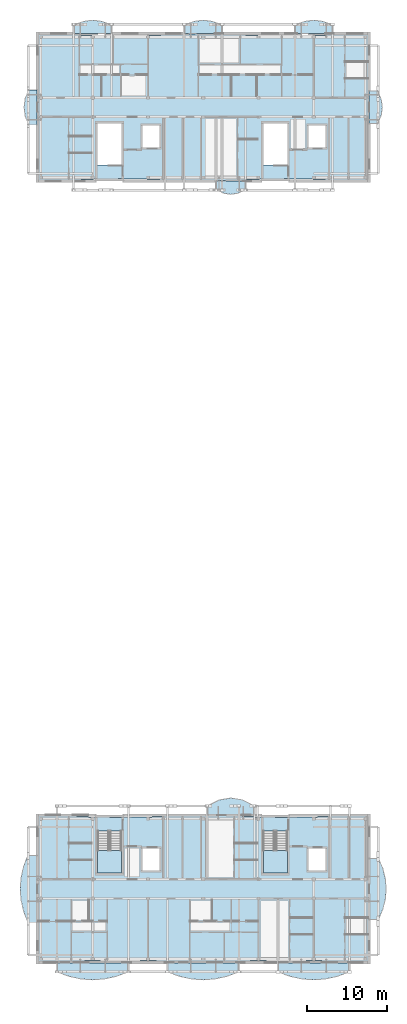
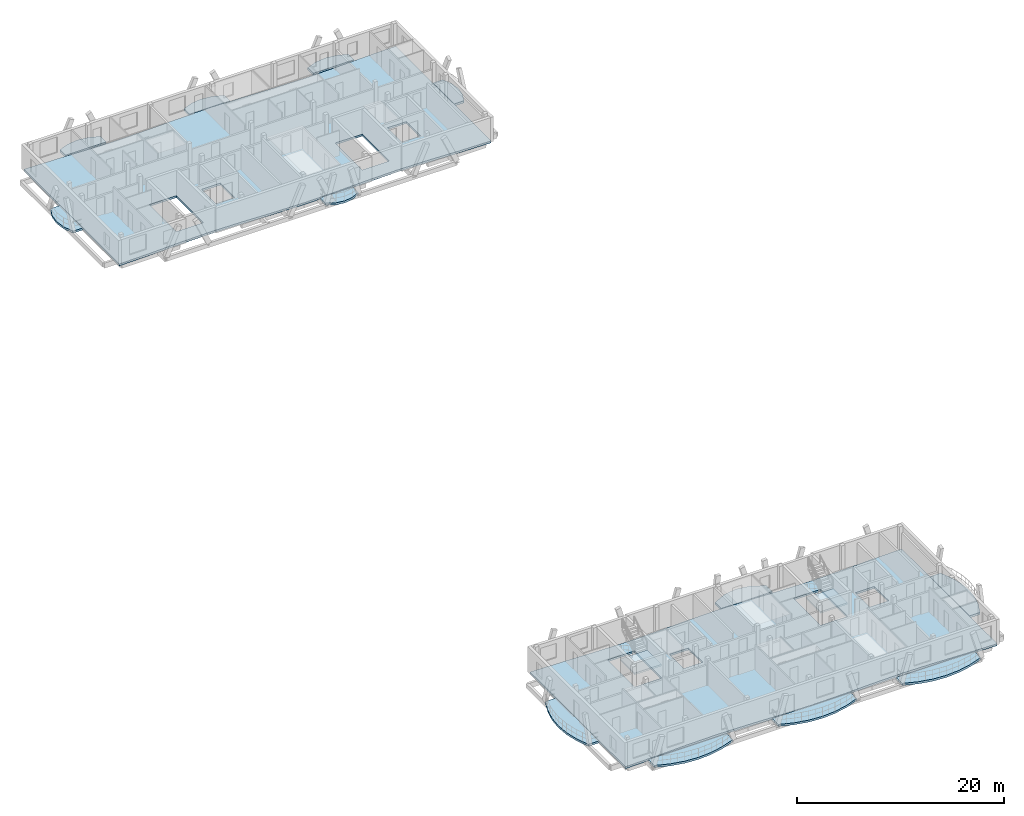
# One storey, part 3 of 18: 16 slabs, 2 elements without a shape of their own.
"""IFC4 building model written with IfcOpenShell, lengths in metres."""

from ifc_helpers import new_model, si_unit, direction, frame, origin, place, context, subcontext, project, spatial, polyline, outline, extrude, material, layer, layer_set, type_object, element, aggregate, save


model = new_model("IFC4")

# Units and contexts
model_context = context("Model", 3, precision=1e-05, world=origin(), true_north=direction((0.0, 1.0)))
body_context = subcontext(model_context, "Body", "Model", "MODEL_VIEW")
ifc_project = project(units=[si_unit("LENGTHUNIT", "METRE"), si_unit("AREAUNIT", "SQUARE_METRE"), si_unit("VOLUMEUNIT", "CUBIC_METRE"), si_unit("PLANEANGLEUNIT", "RADIAN"), si_unit("MASSUNIT", "GRAM", prefix="KILO")], contexts=[model_context])

# Site, building, storey
site_placement = place(None, origin())
site = spatial("IfcSite", under=ifc_project, at=site_placement, CompositionType="ELEMENT")
building_placement = place(site_placement, origin())
building = spatial("IfcBuilding", under=site, at=building_placement, Name="Zavelmont Quarter", CompositionType="ELEMENT")
storey_placement = place(building_placement, frame((0.0, 0.0, 40.0)))
storey = spatial("IfcBuildingStorey", under=building, at=storey_placement, Name="L12", CompositionType="ELEMENT", Elevation=40.0)

# Slabs
ifc_material_1 = material(Name="White architectural precast concrete C40/50", Category="concrete")
ifc_layer_1 = layer(ifc_material_1, 0.235107421875)
ifc_layer_set_1 = layer_set([ifc_layer_1], Name="White architectural precast concrete C40/50")
slab_type_1 = type_object("IfcSlabType", Name="SL-BL180", PredefinedType="FLOOR", material=ifc_layer_set_1)
slab_1_placement = place(storey_placement, frame((0.0, 0.0, -0.235107421875)))
element("IfcSlab", 1, at=slab_1_placement, inside=storey, type_object=slab_type_1, Name="L12 Block A street vase 2 balcony SL-BL180", PredefinedType="FLOOR", context=body_context, shape_type="SweptSolid", body=[
    extrude(outline(polyline([(16.3349609375, -0.02001953125), (16.3349609375, -1.2041015625), (17.7900390625, -1.7294921875), (19.2451171875, -2.044921875), (20.699951171875, -2.14990234375), (22.155029296875, -2.044921875), (23.610107421875, -1.7294921875), (25.06494140625, -1.2041015625), (25.06494140625, -0.02001953125), (16.3349609375, -0.02001953125)])), origin(), (0.0, 0.0, 1.0), 0.235107421875),
])
slab_2_placement = place(storey_placement, frame((0.0, 0.0, -0.235107421875)))
element("IfcSlab", 2, at=slab_2_placement, inside=storey, type_object=slab_type_1, Name="L12 Block A boulevard vase balcony SL-BL180", PredefinedType="FLOOR", context=body_context, shape_type="SweptSolid", body=[
    extrude(outline(polyline([(-0.02001953125, 13.3662109375), (-1.2041015625, 13.3662109375), (-1.7294921875, 11.9775390625), (-2.044921875, 10.588623046875), (-2.14990234375, 9.199951171875), (-2.044921875, 7.811279296875), (-1.7294921875, 6.422607421875), (-1.2041015625, 5.03369140625), (-0.02001953125, 5.03369140625), (-0.02001953125, 13.3662109375)])), origin(), (0.0, 0.0, 1.0), 0.235107421875),
])
slab_3_placement = place(storey_placement, frame((0.0, 0.0, -0.235107421875)))
element("IfcSlab", 3, at=slab_3_placement, inside=storey, type_object=slab_type_1, Name="L12 Block B street vase 2 balcony SL-BL180", PredefinedType="FLOOR", context=body_context, shape_type="SweptSolid", body=[
    extrude(outline(polyline([(22.96630859375, 116.02001953125), (22.96630859375, 117.10009765625), (21.833251953125, 117.52978515625), (20.699951171875, 117.673095703125), (19.56689453125, 117.52978515625), (18.43359375, 117.10009765625), (18.43359375, 116.02001953125), (22.96630859375, 116.02001953125)])), origin(), (0.0, 0.0, 1.0), 0.235107421875),
])
slab_4_placement = place(storey_placement, frame((0.0, 0.0, -0.235107421875)))
element("IfcSlab", 4, at=slab_4_placement, inside=storey, type_object=slab_type_1, Name="L12 Block B boulevard vase balcony SL-BL180", PredefinedType="FLOOR", context=body_context, shape_type="SweptSolid", body=[
    extrude(outline(polyline([(-0.02001953125, 108.98583984375), (-1.10009765625, 108.98583984375), (-1.52978515625, 107.892822265625), (-1.673095703125, 106.800048828125), (-1.52978515625, 105.70703125), (-1.10009765625, 104.6142578125), (-0.02001953125, 104.6142578125), (-0.02001953125, 108.98583984375)])), origin(), (0.0, 0.0, 1.0), 0.235107421875),
])
ifc_layer_2 = layer(ifc_material_1, 0.2451171875)
ifc_layer_set_2 = layer_set([ifc_layer_2], Name="White architectural precast concrete C40/50")
slab_type_2 = type_object("IfcSlabType", Name="SL-BL200", PredefinedType="FLOOR", material=ifc_layer_set_2)
slab_5_placement = place(storey_placement, frame((0.0, 0.0, -0.2451171875)))
element("IfcSlab", 5, at=slab_5_placement, inside=storey, type_object=slab_type_2, Name="L12 Block A street vase 1 balcony SL-BL200", PredefinedType="FLOOR", context=body_context, shape_type="SweptSolid", body=[
    extrude(outline(polyline([(2.534912109375, -0.02001953125), (2.534912109375, -1.2041015625), (3.989990234375, -1.7294921875), (5.445068359375, -2.044921875), (6.89990234375, -2.14990234375), (8.35498046875, -2.044921875), (9.81005859375, -1.7294921875), (11.264892578125, -1.2041015625), (11.264892578125, -0.02001953125), (2.534912109375, -0.02001953125)])), origin(), (0.0, 0.0, 1.0), 0.2451171875),
])
slab_6_placement = place(storey_placement, frame((0.0, 0.0, -0.2451171875)))
element("IfcSlab", 6, at=slab_6_placement, inside=storey, type_object=slab_type_2, Name="L12 Block A courtyard central vase balcony SL-BL200", PredefinedType="FLOOR", context=body_context, shape_type="SweptSolid", body=[
    extrude(outline(polyline([(27.0, 18.419921875), (27.0, 19.60400390625), (25.574951171875, 20.3134765625), (24.14990234375, 20.550048828125), (22.72509765625, 20.3134765625), (21.300048828125, 19.60400390625), (21.300048828125, 18.419921875), (27.0, 18.419921875)])), origin(), (0.0, 0.0, 1.0), 0.2451171875),
])
slab_7_placement = place(storey_placement, frame((0.0, 0.0, -0.2451171875)))
element("IfcSlab", 7, at=slab_7_placement, inside=storey, type_object=slab_type_2, Name="L12 Block B street vase 1 balcony SL-BL200", PredefinedType="FLOOR", context=body_context, shape_type="SweptSolid", body=[
    extrude(outline(polyline([(9.16650390625, 116.02001953125), (9.16650390625, 117.10009765625), (8.033203125, 117.52978515625), (6.89990234375, 117.673095703125), (5.766845703125, 117.52978515625), (4.633544921875, 117.10009765625), (4.633544921875, 116.02001953125), (9.16650390625, 116.02001953125)])), origin(), (0.0, 0.0, 1.0), 0.2451171875),
])
slab_8_placement = place(storey_placement, frame((0.0, 0.0, -0.2451171875)))
element("IfcSlab", 8, at=slab_8_placement, inside=storey, type_object=slab_type_2, Name="L12 Block B courtyard central vase balcony SL-BL200", PredefinedType="FLOOR", context=body_context, shape_type="SweptSolid", body=[
    extrude(outline(polyline([(22.328369140625, 97.580078125), (22.328369140625, 96.5), (23.2392578125, 96.0703125), (24.14990234375, 95.927001953125), (25.060791015625, 96.0703125), (25.9716796875, 96.5), (25.9716796875, 97.580078125), (22.328369140625, 97.580078125)])), origin(), (0.0, 0.0, 1.0), 0.2451171875),
])
ifc_layer_3 = layer(ifc_material_1, 0.2548828125)
ifc_layer_set_3 = layer_set([ifc_layer_3], Name="White architectural precast concrete C40/50")
slab_type_3 = type_object("IfcSlabType", Name="SL-BL220", PredefinedType="FLOOR", material=ifc_layer_set_3)
slab_9_placement = place(storey_placement, frame((0.0, 0.0, -0.2548828125)))
element("IfcSlab", 9, at=slab_9_placement, inside=storey, type_object=slab_type_3, Name="L12 Block A street vase 3 balcony SL-BL220", PredefinedType="FLOOR", context=body_context, shape_type="SweptSolid", body=[
    extrude(outline(polyline([(30.135009765625, -0.02001953125), (30.135009765625, -1.2041015625), (31.590087890625, -1.7294921875), (33.044921875, -2.044921875), (34.5, -2.14990234375), (35.955078125, -2.044921875), (37.409912109375, -1.7294921875), (38.864990234375, -1.2041015625), (38.864990234375, -0.02001953125), (30.135009765625, -0.02001953125)])), origin(), (0.0, 0.0, 1.0), 0.2548828125),
])
slab_10_placement = place(storey_placement, frame((0.0, 0.0, -0.2548828125)))
element("IfcSlab", 10, at=slab_10_placement, inside=storey, type_object=slab_type_3, Name="L12 Block A courtyard return vase balcony SL-BL220", PredefinedType="FLOOR", context=body_context, shape_type="SweptSolid", body=[
    extrude(outline(polyline([(41.419921875, 5.38330078125), (42.60400390625, 5.38330078125), (43.129638671875, 6.655517578125), (43.44482421875, 7.927734375), (43.550048828125, 9.199951171875), (43.44482421875, 10.47216796875), (43.129638671875, 11.744384765625), (42.60400390625, 13.0166015625), (41.419921875, 13.0166015625), (41.419921875, 5.38330078125)])), origin(), (0.0, 0.0, 1.0), 0.2548828125),
])
slab_11_placement = place(storey_placement, frame((0.0, 0.0, -0.2548828125)))
element("IfcSlab", 11, at=slab_11_placement, inside=storey, type_object=slab_type_3, Name="L12 Block B street vase 3 balcony SL-BL220", PredefinedType="FLOOR", context=body_context, shape_type="SweptSolid", body=[
    extrude(outline(polyline([(36.766357421875, 116.02001953125), (36.766357421875, 117.10009765625), (35.63330078125, 117.52978515625), (34.5, 117.673095703125), (33.36669921875, 117.52978515625), (32.233642578125, 117.10009765625), (32.233642578125, 116.02001953125), (36.766357421875, 116.02001953125)])), origin(), (0.0, 0.0, 1.0), 0.2548828125),
])
slab_12_placement = place(storey_placement, frame((0.0, 0.0, -0.2548828125)))
element("IfcSlab", 12, at=slab_12_placement, inside=storey, type_object=slab_type_3, Name="L12 Block B courtyard return vase balcony SL-BL220", PredefinedType="FLOOR", context=body_context, shape_type="SweptSolid", body=[
    extrude(outline(polyline([(41.419921875, 104.755126953125), (42.5, 104.755126953125), (42.9296875, 105.777587890625), (43.072998046875, 106.800048828125), (42.9296875, 107.822509765625), (42.5, 108.8447265625), (41.419921875, 108.8447265625), (41.419921875, 104.755126953125)])), origin(), (0.0, 0.0, 1.0), 0.2548828125),
])
ifc_material_2 = material(Name="Concrete C35/45", Category="concrete")
ifc_layer_4 = layer(ifc_material_2, 0.22998046875)
ifc_layer_set_4 = layer_set([ifc_layer_4], Name="Concrete C35/45")
slab_type_4 = type_object("IfcSlabType", Name="SL-FL230", PredefinedType="FLOOR", material=ifc_layer_set_4)
slab_13_placement = place(storey_placement, frame((0.0, 0.0, -0.22998046875)))
element("IfcSlab", 13, at=slab_13_placement, inside=storey, type_object=slab_type_4, Name="L12 Block A floor slab SL-FL230", PredefinedType="FLOOR", context=body_context, shape_type="SweptSolid", body=[
    extrude(outline(polyline([(0.0, 0.0), (3.449951171875, 0.070068359375), (6.89990234375, 0.2099609375), (10.35009765625, 0.280029296875), (13.800048828125, 0.2099609375), (17.25, 0.070068359375), (20.699951171875, 0.0), (24.14990234375, 0.070068359375), (27.60009765625, 0.2099609375), (31.050048828125, 0.280029296875), (34.5, 0.2099609375), (37.949951171875, 0.070068359375), (41.39990234375, 0.0), (41.39990234375, 3.679931640625), (41.39990234375, 7.360107421875), (41.39990234375, 11.0400390625), (41.39990234375, 14.719970703125), (41.39990234375, 18.39990234375), (37.949951171875, 18.330078125), (34.5, 18.18994140625), (31.050048828125, 18.1201171875), (27.60009765625, 18.18994140625), (24.14990234375, 18.330078125), (20.699951171875, 18.39990234375), (17.25, 18.330078125), (13.800048828125, 18.18994140625), (10.35009765625, 18.1201171875), (6.89990234375, 18.18994140625), (3.449951171875, 18.330078125), (0.0, 18.39990234375), (0.0, 14.719970703125), (0.0, 11.0400390625), (0.0, 7.360107421875), (0.0, 3.679931640625), (0.0, 0.0)]), holes=[polyline([(7.5, 16.425048828125), (7.5, 11.199951171875), (10.5, 11.199951171875), (10.5, 16.425048828125), (7.5, 16.425048828125)]), polyline([(13.14990234375, 11.5), (15.25, 11.5), (15.25, 14.25), (13.14990234375, 14.25), (13.14990234375, 11.5)]), polyline([(28.199951171875, 16.425048828125), (28.199951171875, 11.199951171875), (31.199951171875, 11.199951171875), (31.199951171875, 16.425048828125), (28.199951171875, 16.425048828125)]), polyline([(33.85009765625, 11.5), (35.949951171875, 11.5), (35.949951171875, 14.25), (33.85009765625, 14.25), (33.85009765625, 11.5)])]), origin(), (0.0, 0.0, 1.0), 0.22998046875),
])
slab_14_placement = place(storey_placement, frame((0.0, 0.0, -0.22998046875)))
element("IfcSlab", 14, at=slab_14_placement, inside=storey, type_object=slab_type_4, Name="L12 Block B floor slab SL-FL230", PredefinedType="FLOOR", context=body_context, shape_type="SweptSolid", body=[
    extrude(outline(polyline([(0.0, 97.60009765625), (3.449951171875, 97.669921875), (6.89990234375, 97.81005859375), (10.35009765625, 97.8798828125), (13.800048828125, 97.81005859375), (17.25, 97.669921875), (20.699951171875, 97.60009765625), (24.14990234375, 97.669921875), (27.60009765625, 97.81005859375), (31.050048828125, 97.8798828125), (34.5, 97.81005859375), (37.949951171875, 97.669921875), (41.39990234375, 97.60009765625), (41.39990234375, 101.280029296875), (41.39990234375, 104.9599609375), (41.39990234375, 108.639892578125), (41.39990234375, 112.320068359375), (41.39990234375, 116.0), (37.949951171875, 115.929931640625), (34.5, 115.7900390625), (31.050048828125, 115.719970703125), (27.60009765625, 115.7900390625), (24.14990234375, 115.929931640625), (20.699951171875, 116.0), (17.25, 115.929931640625), (13.800048828125, 115.7900390625), (10.35009765625, 115.719970703125), (6.89990234375, 115.7900390625), (3.449951171875, 115.929931640625), (0.0, 116.0), (0.0, 112.320068359375), (0.0, 108.639892578125), (0.0, 104.9599609375), (0.0, 101.280029296875), (0.0, 97.60009765625)]), holes=[polyline([(10.5, 99.574951171875), (10.5, 104.800048828125), (7.5, 104.800048828125), (7.5, 99.574951171875), (10.5, 99.574951171875)]), polyline([(13.14990234375, 101.75), (15.25, 101.75), (15.25, 104.5), (13.14990234375, 104.5), (13.14990234375, 101.75)]), polyline([(31.199951171875, 99.574951171875), (31.199951171875, 104.800048828125), (28.199951171875, 104.800048828125), (28.199951171875, 99.574951171875), (31.199951171875, 99.574951171875)]), polyline([(33.85009765625, 101.75), (35.949951171875, 101.75), (35.949951171875, 104.5), (33.85009765625, 104.5), (33.85009765625, 101.75)])]), origin(), (0.0, 0.0, 1.0), 0.22998046875),
])

# Stair, slab
stair_type = type_object("IfcStairType", Name="STR-1400-1778", PredefinedType="HALF_TURN_STAIR", material=ifc_material_2)
stair_1_placement = place(storey_placement, origin())
stair_1 = element("IfcStair", 15, at=stair_1_placement, inside=storey, type_object=stair_type, Name="L12 protected stair ST01", PredefinedType="HALF_TURN_STAIR")
ifc_layer_5 = layer(ifc_material_2, 0.199951171875)
ifc_layer_set_5 = layer_set([ifc_layer_5], Name="Concrete C35/45")
slab_type_5 = type_object("IfcSlabType", Name="SL-LND200", PredefinedType="LANDING", material=ifc_layer_set_5)
slab_15_placement = place(storey_placement, frame((0.0, 0.0, 1.39990234375)))
slab_15 = element("IfcSlab", 16, at=slab_15_placement, type_object=slab_type_5, Name="ST01 landing 1", PredefinedType="LANDING", context=body_context, shape_type="SweptSolid", body=[
    extrude(outline(polyline([(7.5, 13.969970703125), (7.5, 11.199951171875), (10.5, 11.199951171875), (10.5, 13.969970703125), (7.5, 13.969970703125)])), origin(), (0.0, 0.0, 1.0), 0.2001953125),
])
aggregate(stair_1, [slab_15])

stair_2_placement = place(storey_placement, origin())
stair_2 = element("IfcStair", 17, at=stair_2_placement, inside=storey, type_object=stair_type, Name="L12 protected stair ST02", PredefinedType="HALF_TURN_STAIR")
slab_16_placement = place(storey_placement, frame((0.0, 0.0, 1.39990234375)))
slab_16 = element("IfcSlab", 18, at=slab_16_placement, type_object=slab_type_5, Name="ST02 landing 1", PredefinedType="LANDING", context=body_context, shape_type="SweptSolid", body=[
    extrude(outline(polyline([(28.199951171875, 13.969970703125), (28.199951171875, 11.199951171875), (31.199951171875, 11.199951171875), (31.199951171875, 13.969970703125), (28.199951171875, 13.969970703125)])), origin(), (0.0, 0.0, 1.0), 0.2001953125),
])
aggregate(stair_2, [slab_16])

save(model, "model.ifc")
